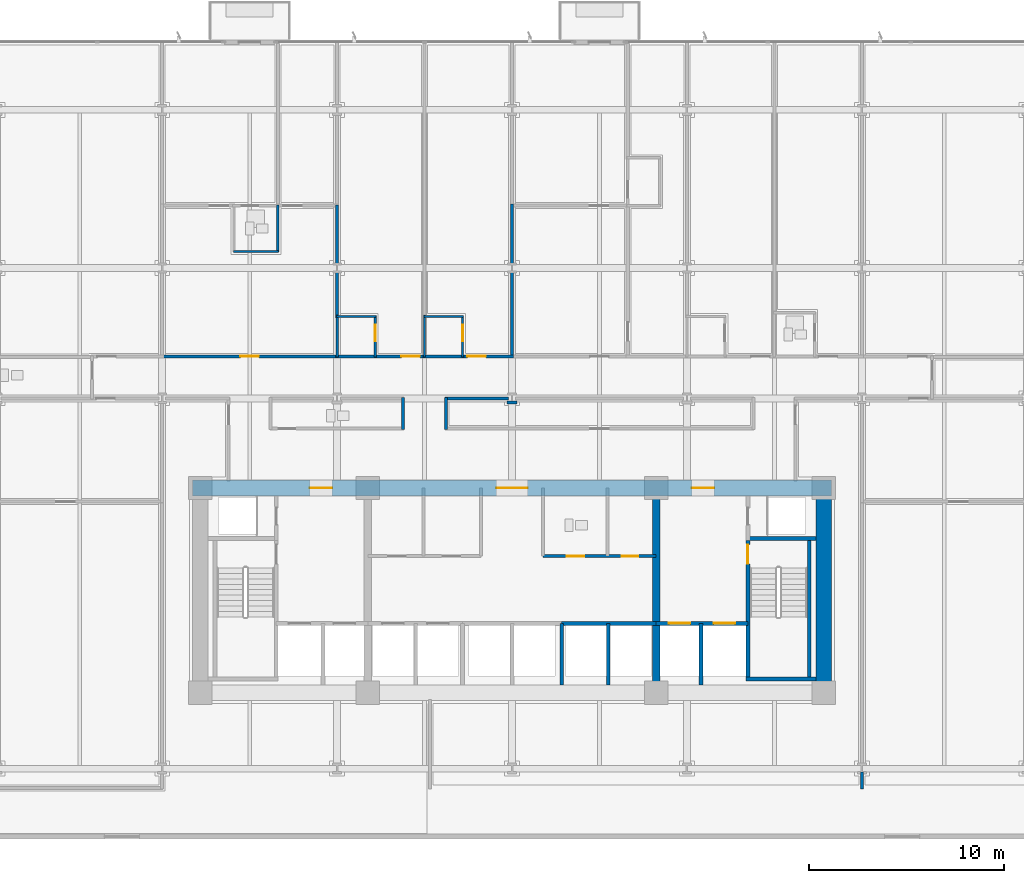
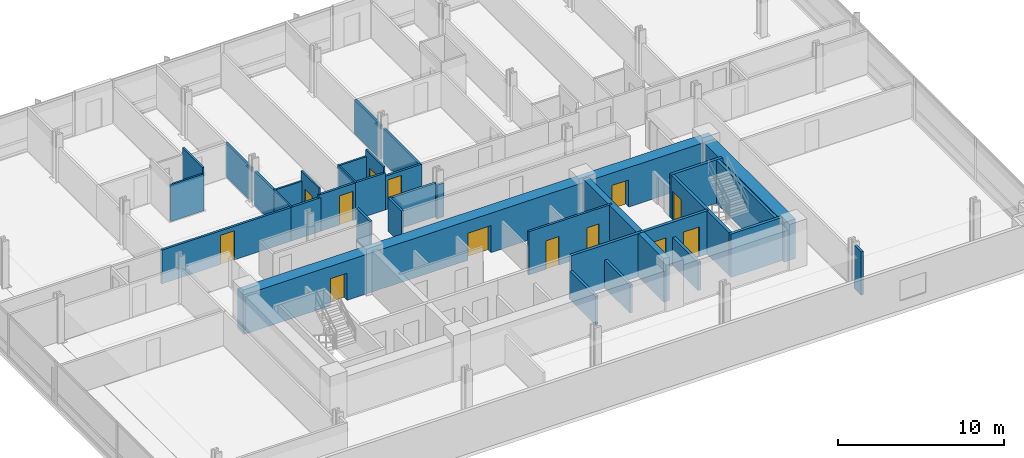
# One storey, part 9 of 16: 35 walls, 13 doors, 13 openings.
"""IFC4 building model written with IfcOpenShell, lengths in metres."""

import ifcopenshell
import ifcopenshell.guid

model = None  # the IFC model being written
_history = None  # IfcOwnerHistory: only IFC2X3 demands one
_inside = {}  # id of a spatial element -> (the spatial element, [elements in it])
_under = {}  # id of a project, library or spatial element -> (it, [spatial elements below it])
_declared = {}  # id of a project -> (the project, [libraries it declares])
_typed = {}  # id of a type object -> (the type object, [elements of that type])
_made_of = {}  # id of a material, layer set ... -> (it, [elements and type objects made of it])


def new_model(schema):
    """Start an empty IFC model of exactly this schema.

    Asked for "IFC4X3", IfcOpenShell would pick the latest addendum, in which some entities
    have other attributes; the version numbers below select the first issue.
    IFC2X3 requires an IfcOwnerHistory on every rooted entity: one is made here for all.
    """
    global model, _history
    if schema == "IFC4X3":
        model = ifcopenshell.file(schema_version=(4, 3, 0, 0))
    else:
        model = ifcopenshell.file(schema=schema)
    _inside.clear()
    _under.clear()
    _declared.clear()
    _typed.clear()
    _made_of.clear()
    _history = None
    if model.schema == "IFC2X3":
        org = make("IfcOrganization", Name="unknown")
        user = make(
            "IfcPersonAndOrganization",
            ThePerson=make("IfcPerson", FamilyName="unknown"),
            TheOrganization=org,
        )
        app = make(
            "IfcApplication",
            ApplicationDeveloper=org,
            Version="unknown",
            ApplicationFullName="unknown",
            ApplicationIdentifier="unknown",
        )
        _history = make(
            "IfcOwnerHistory",
            OwningUser=user,
            OwningApplication=app,
            ChangeAction="ADDED",
            CreationDate=0,
        )
    return model


def make(cls, **values):
    """One entity of the class cls with the attributes given. An attribute that is None is left unset."""
    return model.create_entity(
        cls, **{name: value for name, value in values.items() if value is not None}
    )


def rooted(cls, **values):
    """An entity with a GlobalId (a new one), such as an element, a storey or a relation."""
    return make(cls, GlobalId=ifcopenshell.guid.new(), OwnerHistory=_history, **values)


def si_unit(unit_type, name, prefix=None):
    """IfcSIUnit, for example si_unit("LENGTHUNIT", "METRE", prefix="MILLI")."""
    return make("IfcSIUnit", UnitType=unit_type, Prefix=prefix, Name=name)


def assignment(units):
    """IfcUnitAssignment: the units of a project."""
    return None if units is None else make("IfcUnitAssignment", Units=units)


def point(xyz):
    """IfcCartesianPoint."""
    return None if xyz is None else make("IfcCartesianPoint", Coordinates=xyz)


def direction(xyz):
    """IfcDirection."""
    return None if xyz is None else make("IfcDirection", DirectionRatios=xyz)


def frame(location, z_axis=None, x_axis=None):
    """IfcAxis2Placement3D, a coordinate frame: its origin and axes. An axis left out is left unset."""
    return make(
        "IfcAxis2Placement3D",
        Location=point(location),
        Axis=direction(z_axis),
        RefDirection=direction(x_axis),
    )


def frame_2d(location, x_axis=None):
    """IfcAxis2Placement2D, a coordinate frame in the plane: its origin and x axis."""
    return make(
        "IfcAxis2Placement2D", Location=point(location), RefDirection=direction(x_axis)
    )


def origin():
    """The frame at (0, 0, 0) with its axes left unset."""
    return frame((0.0, 0.0, 0.0))


def place(relative_to, where):
    """IfcLocalPlacement: puts the frame where relative to a parent placement (None: the world)."""
    return make(
        "IfcLocalPlacement", PlacementRelTo=relative_to, RelativePlacement=where
    )


def context(
    kind, dimensions, precision=None, world=None, true_north=None, identifier=None
):
    """IfcGeometricRepresentationContext, for example the 3D "Model" context."""
    return make(
        "IfcGeometricRepresentationContext",
        ContextIdentifier=identifier,
        ContextType=kind,
        CoordinateSpaceDimension=dimensions,
        Precision=precision,
        WorldCoordinateSystem=world,
        TrueNorth=true_north,
    )


def subcontext(parent, identifier, kind, view, scale=None):
    """IfcGeometricRepresentationSubContext, for example "Body" below "Model"."""
    return make(
        "IfcGeometricRepresentationSubContext",
        ContextIdentifier=identifier,
        ContextType=kind,
        ParentContext=parent,
        TargetScale=scale,
        TargetView=view,
    )


def project(units=None, contexts=None):
    """IfcProject with its units and contexts."""
    return rooted(
        "IfcProject",
        Name="project",
        RepresentationContexts=contexts,
        UnitsInContext=assignment(units),
    )


def spatial(cls, under=None, at=None, **own):
    """A site, building, storey or space (cls), placed at a placement, below another one or the project."""
    s = rooted(cls, ObjectPlacement=at, **own)
    if under is not None:
        _under.setdefault(under.id(), (under, []))[1].append(s)
    return s


def profile(cls, at=None, kind="AREA", **sizes):
    """A parametric profile (cls). Its sizes go by their IFC names, for example OverallWidth=200.0."""
    return make(cls, ProfileType=kind, Position=at, **sizes)


def rectangle(**sizes):
    """IfcRectangleProfileDef."""
    return profile("IfcRectangleProfileDef", **sizes)


def extrude(swept, where, along, depth):
    """IfcExtrudedAreaSolid: the profile swept, set in the frame where, extruded along a direction by depth."""
    return make(
        "IfcExtrudedAreaSolid",
        SweptArea=swept,
        Position=where,
        ExtrudedDirection=direction(along),
        Depth=depth,
    )


def shape(context_of_items, identifier, shape_type, items):
    """IfcShapeRepresentation: the items that make up one representation, for example the "Body"."""
    return make(
        "IfcShapeRepresentation",
        ContextOfItems=context_of_items,
        RepresentationIdentifier=identifier,
        RepresentationType=shape_type,
        Items=items,
    )


def material(Name=None, Category=None):
    """IfcMaterial."""
    return make("IfcMaterial", Name=Name, Category=Category)


def layer(
    of_material, thickness, ventilated=None, Name=None, Category=None, Priority=None
):
    """IfcMaterialLayer: one layer of a wall or slab, of a material (None: an air gap)."""
    return make(
        "IfcMaterialLayer",
        Material=of_material,
        LayerThickness=thickness,
        IsVentilated=ventilated,
        Name=Name,
        Category=Category,
        Priority=Priority,
    )


def layer_set(layers, Name=None):
    """IfcMaterialLayerSet."""
    return make("IfcMaterialLayerSet", MaterialLayers=layers, LayerSetName=Name)


def made_of(thing, what):
    """Note that an element or type object is made of a material, layer set ...; save() writes the relation."""
    if what is not None:
        _made_of.setdefault(what.id(), (what, []))[1].append(thing)
    return thing


def type_object(cls, material=None, **own):
    """A type object (cls), such as IfcWallType, which elements share."""
    return made_of(rooted(cls, **own), material)


def element(
    cls,
    number,
    at=None,
    inside=None,
    cuts=None,
    type_object=None,
    material=None,
    context=None,
    identifier="Body",
    shape_type=None,
    held_by="IfcProductDefinitionShape",
    body=None,
    shapes=None,
    **own,
):
    """One element of the class cls, such as IfcWall. Its Tag is "e" and its number.

    at: its placement. inside: the storey or other place that contains it. cuts: it is an
    opening in that element (IfcRelVoidsElement). A single representation is given by context,
    identifier, shape_type and body (its items); several are given by shapes. held_by: the class
    of the entity that holds the representations. save() writes the other relations.
    """
    e = rooted(cls, Tag="e%d" % number, ObjectPlacement=at, **own)
    if body is not None:
        shapes = [shape(context, identifier, shape_type, body)]
    if shapes is not None:
        e.Representation = make(held_by, Representations=shapes)
    if inside is not None:
        _inside.setdefault(inside.id(), (inside, []))[1].append(e)
    if cuts is not None:
        rooted(
            "IfcRelVoidsElement", RelatingBuildingElement=cuts, RelatedOpeningElement=e
        )
    if type_object is not None:
        _typed.setdefault(type_object.id(), (type_object, []))[1].append(e)
    return made_of(e, material)


def fill(opening, filler):
    """IfcRelFillsElement: the door or window that sits in an opening."""
    return rooted(
        "IfcRelFillsElement",
        RelatingOpeningElement=opening,
        RelatedBuildingElement=filler,
    )


def aggregate(whole, parts):
    """IfcRelAggregates: a whole, such as a stair, and the parts it consists of."""
    return rooted("IfcRelAggregates", RelatingObject=whole, RelatedObjects=parts)


def save(model, path):
    """Write the relations noted so far, then the file.

    IfcRelAggregates (storeys below a building ...), IfcRelContainedInSpatialStructure (elements
    in a storey), IfcRelDefinesByType, IfcRelAssociatesMaterial and IfcRelDeclares: one each for
    every whole, place, type object, material and project.
    """
    for whole, parts in _under.values():
        aggregate(whole, parts)
    for where, things in _inside.values():
        rooted(
            "IfcRelContainedInSpatialStructure",
            RelatedElements=things,
            RelatingStructure=where,
        )
    for kind, things in _typed.values():
        rooted("IfcRelDefinesByType", RelatedObjects=things, RelatingType=kind)
    for what, things in _made_of.values():
        rooted("IfcRelAssociatesMaterial", RelatedObjects=things, RelatingMaterial=what)
    for by, libraries in _declared.values():
        rooted("IfcRelDeclares", RelatingContext=by, RelatedDefinitions=libraries)
    model.write(path)


model = new_model("IFC4")

# Units and contexts
model_context = context("Model", 3, precision=1e-05, world=origin(), true_north=direction((0.0, 1.0)))
body_context = subcontext(model_context, "Body", "Model", "MODEL_VIEW")
ifc_project = project(units=[si_unit("LENGTHUNIT", "METRE"), si_unit("AREAUNIT", "SQUARE_METRE"), si_unit("VOLUMEUNIT", "CUBIC_METRE"), si_unit("PLANEANGLEUNIT", "RADIAN"), si_unit("MASSUNIT", "GRAM", prefix="KILO")], contexts=[model_context])

# Site, building, storey
site_placement = place(None, origin())
site = spatial("IfcSite", under=ifc_project, at=site_placement, CompositionType="ELEMENT")
building_placement = place(site_placement, origin())
building = spatial("IfcBuilding", under=site, at=building_placement, Name="Solmavex Isthmus Hotel", CompositionType="ELEMENT")
storey_placement = place(building_placement, frame((0.0, 0.0, 67.800048828125)))
storey = spatial("IfcBuildingStorey", under=building, at=storey_placement, Name="L18", CompositionType="ELEMENT", Elevation=67.800048828125)

# Walls
ifc_material_1 = material(Name="Gypsum plasterboard lining", Category="gypsum")
ifc_layer_1 = layer(ifc_material_1, 0.159912109375)
ifc_layer_set_1 = layer_set([ifc_layer_1], Name="Gypsum plasterboard lining")
wall_type_1 = type_object("IfcWallType", Name="IW-COMP-160", PredefinedType="PARTITIONING", material=ifc_layer_set_1)
wall_1_placement = place(storey_placement, frame((-8.97607421875, 8.613037109375, 0.0), z_axis=(0.0, 0.0, 1.0), x_axis=(0.0, -1.0, 0.0)))
element("IfcWall", 1, at=wall_1_placement, inside=storey, type_object=wall_type_1, Name="Interior Partition Wall W-L18-P046", PredefinedType="PARTITIONING", context=body_context, shape_type="SweptSolid", body=[
    extrude(rectangle(XDim=2.39501953125, YDim=0.159912109375, at=frame_2d((1.197509765625, 0.0))), origin(), (0.0, 0.0, 1.0), 2.4794921875),
])
wall_2_placement = place(storey_placement, frame((-8.97607421875, 12.028076171875, 0.0), z_axis=(0.0, 0.0, 1.0), x_axis=(0.0, -1.0, 0.0)))
element("IfcWall", 2, at=wall_2_placement, inside=storey, type_object=wall_type_1, Name="Interior Partition Wall W-L18-P047", PredefinedType="PARTITIONING", context=body_context, shape_type="SweptSolid", body=[
    extrude(rectangle(XDim=3.065185546875, YDim=0.159912109375, at=frame_2d((1.53271484375, 0.0))), origin(), (0.0, 0.0, 1.0), 2.4794921875),
])
wall_3_placement = place(storey_placement, frame((0.0, 8.613037109375, 0.0), z_axis=(0.0, 0.0, 1.0), x_axis=(0.0, -1.0, 0.0)))
element("IfcWall", 3, at=wall_3_placement, inside=storey, type_object=wall_type_1, Name="Interior Partition Wall W-L18-P059", PredefinedType="PARTITIONING", context=body_context, shape_type="SweptSolid", body=[
    extrude(rectangle(XDim=4.403076171875, YDim=0.159912109375, at=frame_2d((2.20166015625, 0.0))), origin(), (0.0, 0.0, 1.0), 2.4794921875),
])
wall_4_placement = place(storey_placement, frame((0.0, 12.070068359375, 0.0), z_axis=(0.0, 0.0, 1.0), x_axis=(0.0, -1.0, 0.0)))
element("IfcWall", 4, at=wall_4_placement, inside=storey, type_object=wall_type_1, Name="Interior Partition Wall W-L18-P060", PredefinedType="PARTITIONING", context=body_context, shape_type="SweptSolid", body=[
    extrude(rectangle(XDim=3.107177734375, YDim=0.159912109375, at=frame_2d((1.5537109375, 0.0))), origin(), (0.0, 0.0, 1.0), 2.4794921875),
])
wall_5_placement = place(storey_placement, frame((17.951904296875, -17.074951171875, 0.0), z_axis=(0.0, 0.0, 1.0), x_axis=(0.0, -1.0, 0.0)))
element("IfcWall", 5, at=wall_5_placement, inside=storey, type_object=wall_type_1, Name="Interior Partition Wall W-L18-P093", PredefinedType="PARTITIONING", context=body_context, shape_type="SweptSolid", body=[
    extrude(rectangle(XDim=0.864990234375, YDim=0.159912109375, at=frame_2d((0.4326171875, 0.0))), origin(), (0.0, 0.0, 1.0), 3.18994140625),
])

# Wall, openings, doors
ifc_layer_2 = layer(ifc_material_1, 0.14990234375)
ifc_layer_set_2 = layer_set([ifc_layer_2], Name="Gypsum plasterboard lining")
wall_type_2 = type_object("IfcWallType", Name="IW-CORR-150", PredefinedType="PARTITIONING", material=ifc_layer_set_2)
wall_6_placement = place(storey_placement, frame((1.60009765625, -6.0, 0.0), z_axis=(0.0, 0.0, 1.0), x_axis=(1.0, 0.0, 0.0)))
wall_6 = element("IfcWall", 6, at=wall_6_placement, inside=storey, type_object=wall_type_2, Name="Interior Partition Wall W-L18-BOH-ES", PredefinedType="PARTITIONING", context=body_context, shape_type="SweptSolid", body=[
    extrude(rectangle(XDim=5.7998046875, YDim=0.14990234375, at=frame_2d((2.89990234375, 0.0))), origin(), (0.0, 0.0, 1.0), 3.18994140625),
])
opening_1_placement = place(wall_6_placement, frame((1.199951171875, 0.0, 0.0)))
opening_1 = element("IfcOpeningElement", 7, at=opening_1_placement, cuts=wall_6, Name="Opening ID-C090", PredefinedType="OPENING", context=body_context, shape_type="SweptSolid", body=[
    extrude(rectangle(XDim=0.89990234375, YDim=2.10009765625, at=frame_2d((0.449951171875, 1.050048828125))), frame((0.0, 0.0849609375, 0.0), z_axis=(0.0, -1.0, 0.0), x_axis=(1.0, 0.0, 0.0)), (0.0, 0.0, 1.0), 0.169921875),
])
opening_2_placement = place(wall_6_placement, frame((4.02490234375, 0.0, 0.0)))
opening_2 = element("IfcOpeningElement", 8, at=opening_2_placement, cuts=wall_6, Name="Opening ID-R085", PredefinedType="OPENING", context=body_context, shape_type="SweptSolid", body=[
    extrude(rectangle(XDim=0.85009765625, YDim=2.050048828125, at=frame_2d((0.425048828125, 1.02490234375))), frame((0.0, 0.0849609375, 0.0), z_axis=(0.0, -1.0, 0.0), x_axis=(1.0, 0.0, 0.0)), (0.0, 0.0, 1.0), 0.169921875),
])
ifc_material_2 = material(Name="Steel ASTM A500 Grade C", Category="steel")
door_type_1 = type_object("IfcDoorType", Name="IDR-FD60-0850", OperationType="NOTDEFINED", PredefinedType="DOOR", material=ifc_material_2)
door_1_placement = place(opening_2_placement, frame((0.85009765625, 0.0, 0.0), z_axis=(0.0, 0.0, 1.0), x_axis=(-1.0, 0.0, 0.0)))
door_1 = element("IfcDoor", 9, at=door_1_placement, inside=storey, type_object=door_type_1, Name="IT Room Door L18", OperationType="SINGLE_SWING_RIGHT", OverallHeight=2.050048828125, OverallWidth=0.85009765625, PredefinedType="DOOR", context=body_context, shape_type="SweptSolid", body=[
    extrude(rectangle(XDim=0.85009765625, YDim=2.050048828125, at=frame_2d((0.425048828125, 1.02490234375))), frame((0.0, 0.02490234375, 0.0), z_axis=(0.0, -1.0, 0.0), x_axis=(1.0, 0.0, 0.0)), (0.0, 0.0, 1.0), 0.050048828125),
])
fill(opening_2, door_1)
ifc_material_3 = material(Name="Hardwood timber", Category="wood")
door_type_2 = type_object("IfcDoorType", Name="IDR-FD60-0900", OperationType="NOTDEFINED", PredefinedType="DOOR", material=ifc_material_3)
door_2_placement = place(opening_1_placement, frame((0.89990234375, 0.0, 0.0), z_axis=(0.0, 0.0, 1.0), x_axis=(-1.0, 0.0, 0.0)))
door_2 = element("IfcDoor", 10, at=door_2_placement, inside=storey, type_object=door_type_2, Name="Staff Restroom Door L18", OperationType="SINGLE_SWING_LEFT", OverallHeight=2.10009765625, OverallWidth=0.89990234375, PredefinedType="DOOR", context=body_context, shape_type="SweptSolid", body=[
    extrude(rectangle(XDim=0.89990234375, YDim=2.10009765625, at=frame_2d((0.449951171875, 1.050048828125))), frame((0.0, 0.02490234375, 0.0), z_axis=(0.0, -1.0, 0.0), x_axis=(1.0, 0.0, 0.0)), (0.0, 0.0, 1.0), 0.050048828125),
])
fill(opening_1, door_2)

# Wall, opening, door
wall_7_placement = place(storey_placement, frame((-18.033935546875, 4.25, 0.0), z_axis=(0.0, 0.0, 1.0), x_axis=(1.0, 0.0, 0.0)))
wall_7 = element("IfcWall", 11, at=wall_7_placement, inside=storey, type_object=wall_type_2, Name="Interior Partition Wall W-L18-P002", PredefinedType="PARTITIONING", context=body_context, shape_type="SweptSolid", body=[
    extrude(rectangle(XDim=9.139892578125, YDim=0.14990234375, at=frame_2d((4.56982421875, 0.0))), origin(), (0.0, 0.0, 1.0), 2.4794921875),
])
opening_3_placement = place(wall_7_placement, frame((4.094970703125, 0.0, 0.0)))
opening_3 = element("IfcOpeningElement", 12, at=opening_3_placement, cuts=wall_7, Name="Opening ID-C095", PredefinedType="OPENING", context=body_context, shape_type="SweptSolid", body=[
    extrude(rectangle(XDim=0.949951171875, YDim=2.14990234375, at=frame_2d((0.47509765625, 1.074951171875))), frame((0.0, 0.0849609375, 0.0), z_axis=(0.0, -1.0, 0.0), x_axis=(1.0, 0.0, 0.0)), (0.0, 0.0, 1.0), 0.169921875),
])
door_type_3 = type_object("IfcDoorType", Name="IDR-FD60-0950", OperationType="NOTDEFINED", PredefinedType="DOOR", material=ifc_material_3)
door_3_placement = place(opening_3_placement, origin())
door_3 = element("IfcDoor", 13, at=door_3_placement, inside=storey, type_object=door_type_3, Name="Ambassador Suite Reception Foyer Door L18-02", OperationType="SINGLE_SWING_RIGHT", OverallHeight=2.14990234375, OverallWidth=0.949951171875, PredefinedType="DOOR", context=body_context, shape_type="SweptSolid", body=[
    extrude(rectangle(XDim=0.949951171875, YDim=2.14990234375, at=frame_2d((0.47509765625, 1.074951171875))), frame((0.0, 0.02490234375, 0.0), z_axis=(0.0, -1.0, 0.0), x_axis=(1.0, 0.0, 0.0)), (0.0, 0.0, 1.0), 0.050048828125),
])
fill(opening_3, door_3)

wall_8_placement = place(storey_placement, frame((-7.10791015625, 4.25, 0.0), z_axis=(0.0, 0.0, 1.0), x_axis=(1.0, 0.0, 0.0)))
wall_8 = element("IfcWall", 14, at=wall_8_placement, inside=storey, type_object=wall_type_2, Name="Interior Partition Wall W-L18-P003", PredefinedType="PARTITIONING", context=body_context, shape_type="SweptSolid", body=[
    extrude(rectangle(XDim=2.701904296875, YDim=0.14990234375, at=frame_2d((1.35107421875, 0.0))), origin(), (0.0, 0.0, 1.0), 2.718017578125),
])
opening_4_placement = place(wall_8_placement, frame((1.426513671875, 0.0, 0.0)))
opening_4 = element("IfcOpeningElement", 15, at=opening_4_placement, cuts=wall_8, Name="Opening ID-C095", PredefinedType="OPENING", context=body_context, shape_type="SweptSolid", body=[
    extrude(rectangle(XDim=0.949951171875, YDim=2.14990234375, at=frame_2d((0.47509765625, 1.074951171875))), frame((0.0, 0.0849609375, 0.0), z_axis=(0.0, -1.0, 0.0), x_axis=(1.0, 0.0, 0.0)), (0.0, 0.0, 1.0), 0.169921875),
])
door_4_placement = place(opening_4_placement, origin())
door_4 = element("IfcDoor", 16, at=door_4_placement, inside=storey, type_object=door_type_3, Name="Deluxe Guest Room Door L18-06", OperationType="SINGLE_SWING_RIGHT", OverallHeight=2.14990234375, OverallWidth=0.949951171875, PredefinedType="DOOR", context=body_context, shape_type="SweptSolid", body=[
    extrude(rectangle(XDim=0.949951171875, YDim=2.14990234375, at=frame_2d((0.47509765625, 1.074951171875))), frame((0.0, 0.02490234375, 0.0), z_axis=(0.0, -1.0, 0.0), x_axis=(1.0, 0.0, 0.0)), (0.0, 0.0, 1.0), 0.050048828125),
])
fill(opening_4, door_4)

# Wall
wall_9_placement = place(storey_placement, frame((-9.05810546875, 4.25, 0.0), z_axis=(0.0, 0.0, 1.0), x_axis=(1.0, 0.0, 0.0)))
element("IfcWall", 17, at=wall_9_placement, inside=storey, type_object=wall_type_2, Name="Interior Partition Wall W-L18-P004", PredefinedType="PARTITIONING", context=body_context, shape_type="SweptSolid", body=[
    extrude(rectangle(XDim=2.114013671875, YDim=0.14990234375, at=frame_2d((1.05712890625, 0.0))), origin(), (0.0, 0.0, 1.0), 2.4794921875),
])

# Wall, opening, door
wall_10_placement = place(storey_placement, frame((-2.6201171875, 4.25, 0.0), z_axis=(0.0, 0.0, 1.0), x_axis=(1.0, 0.0, 0.0)))
wall_10 = element("IfcWall", 18, at=wall_10_placement, inside=storey, type_object=wall_type_2, Name="Interior Partition Wall W-L18-P005", PredefinedType="PARTITIONING", context=body_context, shape_type="SweptSolid", body=[
    extrude(rectangle(XDim=2.7021484375, YDim=0.14990234375, at=frame_2d((1.35107421875, 0.0))), origin(), (0.0, 0.0, 1.0), 2.4794921875),
])
opening_5_placement = place(wall_10_placement, frame((0.325439453125, 0.0, 0.0)))
opening_5 = element("IfcOpeningElement", 19, at=opening_5_placement, cuts=wall_10, Name="Opening ID-C095", PredefinedType="OPENING", context=body_context, shape_type="SweptSolid", body=[
    extrude(rectangle(XDim=0.949951171875, YDim=2.14990234375, at=frame_2d((0.47509765625, 1.074951171875))), frame((0.0, 0.0849609375, 0.0), z_axis=(0.0, -1.0, 0.0), x_axis=(1.0, 0.0, 0.0)), (0.0, 0.0, 1.0), 0.169921875),
])
door_5_placement = place(opening_5_placement, origin())
door_5 = element("IfcDoor", 20, at=door_5_placement, inside=storey, type_object=door_type_3, Name="Twin Guest Room Door L18-08", OperationType="SINGLE_SWING_RIGHT", OverallHeight=2.14990234375, OverallWidth=0.949951171875, PredefinedType="DOOR", context=body_context, shape_type="SweptSolid", body=[
    extrude(rectangle(XDim=0.949951171875, YDim=2.14990234375, at=frame_2d((0.47509765625, 1.074951171875))), frame((0.0, 0.02490234375, 0.0), z_axis=(0.0, -1.0, 0.0), x_axis=(1.0, 0.0, 0.0)), (0.0, 0.0, 1.0), 0.050048828125),
])
fill(opening_5, door_5)

# Walls
wall_11_placement = place(storey_placement, frame((-4.570068359375, 4.25, 0.0), z_axis=(0.0, 0.0, 1.0), x_axis=(1.0, 0.0, 0.0)))
element("IfcWall", 21, at=wall_11_placement, inside=storey, type_object=wall_type_2, Name="Interior Partition Wall W-L18-P006", PredefinedType="PARTITIONING", context=body_context, shape_type="SweptSolid", body=[
    extrude(rectangle(XDim=2.114013671875, YDim=0.14990234375, at=frame_2d((1.05712890625, 0.0))), origin(), (0.0, 0.0, 1.0), 2.718017578125),
])
wall_12_placement = place(storey_placement, frame((-5.587890625, 0.510009765625, 0.0), z_axis=(0.0, 0.0, 1.0), x_axis=(0.0, 1.0, 0.0)))
element("IfcWall", 22, at=wall_12_placement, inside=storey, type_object=wall_type_2, Name="Interior Partition Wall W-L18-P018", PredefinedType="PARTITIONING", context=body_context, shape_type="SweptSolid", body=[
    extrude(rectangle(XDim=1.6298828125, YDim=0.14990234375, at=frame_2d((0.81494140625, 0.0))), origin(), (0.0, 0.0, 1.0), 2.4794921875),
])
wall_13_placement = place(storey_placement, frame((0.2548828125, 1.885009765625, 0.0), z_axis=(0.0, 0.0, 1.0), x_axis=(-1.0, 0.0, 0.0)))
element("IfcWall", 23, at=wall_13_placement, inside=storey, type_object=wall_type_2, Name="Interior Partition Wall W-L18-P023", PredefinedType="PARTITIONING", context=body_context, shape_type="SweptSolid", body=[
    extrude(rectangle(XDim=0.509765625, YDim=0.14990234375, at=frame_2d((0.2548828125, 0.0))), origin(), (0.0, 0.0, 1.0), 2.4794921875),
])
wall_14_placement = place(storey_placement, frame((-0.175048828125, 2.10009765625, 0.0), z_axis=(0.0, 0.0, 1.0), x_axis=(-1.0, 0.0, 0.0)))
element("IfcWall", 24, at=wall_14_placement, inside=storey, type_object=wall_type_2, Name="Interior Partition Wall W-L18-P024", PredefinedType="PARTITIONING", context=body_context, shape_type="SweptSolid", body=[
    extrude(rectangle(XDim=3.2529296875, YDim=0.14990234375, at=frame_2d((1.62646484375, 0.0))), origin(), (0.0, 0.0, 1.0), 2.4794921875),
])
wall_15_placement = place(storey_placement, frame((-3.387939453125, 2.139892578125, 0.0), z_axis=(0.0, 0.0, 1.0), x_axis=(0.0, -1.0, 0.0)))
element("IfcWall", 25, at=wall_15_placement, inside=storey, type_object=wall_type_2, Name="Interior Partition Wall W-L18-P025", PredefinedType="PARTITIONING", context=body_context, shape_type="SweptSolid", body=[
    extrude(rectangle(XDim=1.6298828125, YDim=0.14990234375, at=frame_2d((0.81494140625, 0.0))), origin(), (0.0, 0.0, 1.0), 2.4794921875),
])
ifc_layer_3 = layer(ifc_material_1, 0.1201171875)
ifc_layer_set_3 = layer_set([ifc_layer_3], Name="Gypsum plasterboard lining")
wall_type_3 = type_object("IfcWallType", Name="IW-PART-120", PredefinedType="PARTITIONING", material=ifc_layer_set_3)
wall_16_placement = place(storey_placement, frame((-14.303955078125, 9.637939453125, 0.0), z_axis=(0.0, 0.0, 1.0), x_axis=(1.0, 0.0, 0.0)))
element("IfcWall", 26, at=wall_16_placement, inside=storey, type_object=wall_type_3, Name="Interior Partition Wall W-L18-P044", PredefinedType="PARTITIONING", context=body_context, shape_type="SweptSolid", body=[
    extrude(rectangle(XDim=2.329833984375, YDim=0.1201171875, at=frame_2d((1.1650390625, 0.0))), origin(), (0.0, 0.0, 1.0), 2.718017578125),
])
wall_17_placement = place(storey_placement, frame((-12.013916015625, 9.597900390625, 0.0), z_axis=(0.0, 0.0, 1.0), x_axis=(0.0, 1.0, 0.0)))
element("IfcWall", 27, at=wall_17_placement, inside=storey, type_object=wall_type_3, Name="Interior Partition Wall W-L18-P045", PredefinedType="PARTITIONING", context=body_context, shape_type="SweptSolid", body=[
    extrude(rectangle(XDim=2.43017578125, YDim=0.1201171875, at=frame_2d((1.215087890625, 0.0))), origin(), (0.0, 0.0, 1.0), 3.18994140625),
])
wall_18_placement = place(storey_placement, frame((-8.97607421875, 6.382080078125, 0.0), z_axis=(0.0, 0.0, 1.0), x_axis=(0.0, -1.0, 0.0)))
element("IfcWall", 28, at=wall_18_placement, inside=storey, type_object=wall_type_3, Name="Interior Partition Wall W-L18-P048", PredefinedType="PARTITIONING", context=body_context, shape_type="SweptSolid", body=[
    extrude(rectangle(XDim=2.172119140625, YDim=0.1201171875, at=frame_2d((1.0859375, 0.0))), origin(), (0.0, 0.0, 1.0), 2.4794921875),
])

# Wall, opening, door
wall_19_placement = place(storey_placement, frame((-7.02587890625, 4.2099609375, 0.0), z_axis=(0.0, 0.0, 1.0), x_axis=(0.0, 1.0, 0.0)))
wall_19 = element("IfcWall", 29, at=wall_19_placement, inside=storey, type_object=wall_type_3, Name="Interior Partition Wall W-L18-P053", PredefinedType="PARTITIONING", context=body_context, shape_type="SweptSolid", body=[
    extrude(rectangle(XDim=2.130126953125, YDim=0.1201171875, at=frame_2d((1.06494140625, 0.0))), origin(), (0.0, 0.0, 1.0), 3.18994140625),
])
opening_6_placement = place(wall_19_placement, frame((0.812255859375, 0.0, 0.0)))
opening_6 = element("IfcOpeningElement", 30, at=opening_6_placement, cuts=wall_19, Name="Opening ID-U085", PredefinedType="OPENING", context=body_context, shape_type="SweptSolid", body=[
    extrude(rectangle(XDim=0.85009765625, YDim=2.10009765625, at=frame_2d((0.425048828125, 1.050048828125))), frame((0.0, 0.070068359375, 0.0), z_axis=(0.0, -1.0, 0.0), x_axis=(1.0, 0.0, 0.0)), (0.0, 0.0, 1.0), 0.14013671875),
])
door_type_4 = type_object("IfcDoorType", Name="IDR-UNR-0850", OperationType="NOTDEFINED", PredefinedType="DOOR", material=ifc_material_3)
door_6_placement = place(opening_6_placement, frame((0.85009765625, 0.0, 0.0), z_axis=(0.0, 0.0, 1.0), x_axis=(-1.0, 0.0, 0.0)))
door_6 = element("IfcDoor", 31, at=door_6_placement, inside=storey, type_object=door_type_4, Name="En-suite Bathroom Door L18-07", OperationType="SINGLE_SWING_LEFT", OverallHeight=2.10009765625, OverallWidth=0.85009765625, PredefinedType="DOOR", context=body_context, shape_type="SweptSolid", body=[
    extrude(rectangle(XDim=0.85009765625, YDim=2.10009765625, at=frame_2d((0.425048828125, 1.050048828125))), frame((0.0, 0.02490234375, 0.0), z_axis=(0.0, -1.0, 0.0), x_axis=(1.0, 0.0, 0.0)), (0.0, 0.0, 1.0), 0.050048828125),
])
fill(opening_6, door_6)

# Walls
wall_20_placement = place(storey_placement, frame((-6.986083984375, 6.300048828125, 0.0), z_axis=(0.0, 0.0, 1.0), x_axis=(-1.0, 0.0, 0.0)))
element("IfcWall", 32, at=wall_20_placement, inside=storey, type_object=wall_type_3, Name="Interior Partition Wall W-L18-P054", PredefinedType="PARTITIONING", context=body_context, shape_type="SweptSolid", body=[
    extrude(rectangle(XDim=2.030029296875, YDim=0.1201171875, at=frame_2d((1.01513671875, 0.0))), origin(), (0.0, 0.0, 1.0), 2.4794921875),
])
wall_21_placement = place(storey_placement, frame((-4.488037109375, 6.382080078125, 0.0), z_axis=(0.0, 0.0, 1.0), x_axis=(0.0, -1.0, 0.0)))
element("IfcWall", 33, at=wall_21_placement, inside=storey, type_object=wall_type_3, Name="Interior Partition Wall W-L18-P056", PredefinedType="PARTITIONING", context=body_context, shape_type="SweptSolid", body=[
    extrude(rectangle(XDim=2.172119140625, YDim=0.1201171875, at=frame_2d((1.0859375, 0.0))), origin(), (0.0, 0.0, 1.0), 2.718017578125),
])

# Wall, opening, door
wall_22_placement = place(storey_placement, frame((-2.5380859375, 4.2099609375, 0.0), z_axis=(0.0, 0.0, 1.0), x_axis=(0.0, 1.0, 0.0)))
wall_22 = element("IfcWall", 34, at=wall_22_placement, inside=storey, type_object=wall_type_3, Name="Interior Partition Wall W-L18-P057", PredefinedType="PARTITIONING", context=body_context, shape_type="SweptSolid", body=[
    extrude(rectangle(XDim=2.130126953125, YDim=0.1201171875, at=frame_2d((1.06494140625, 0.0))), origin(), (0.0, 0.0, 1.0), 3.18994140625),
])
opening_7_placement = place(wall_22_placement, frame((0.812255859375, 0.0, 0.0)))
opening_7 = element("IfcOpeningElement", 35, at=opening_7_placement, cuts=wall_22, Name="Opening ID-U085", PredefinedType="OPENING", context=body_context, shape_type="SweptSolid", body=[
    extrude(rectangle(XDim=0.85009765625, YDim=2.10009765625, at=frame_2d((0.425048828125, 1.050048828125))), frame((0.0, 0.070068359375, 0.0), z_axis=(0.0, -1.0, 0.0), x_axis=(1.0, 0.0, 0.0)), (0.0, 0.0, 1.0), 0.14013671875),
])
door_7_placement = place(opening_7_placement, origin())
door_7 = element("IfcDoor", 36, at=door_7_placement, inside=storey, type_object=door_type_4, Name="En-suite Bathroom Door L18-09", OperationType="SINGLE_SWING_LEFT", OverallHeight=2.10009765625, OverallWidth=0.85009765625, PredefinedType="DOOR", context=body_context, shape_type="SweptSolid", body=[
    extrude(rectangle(XDim=0.85009765625, YDim=2.10009765625, at=frame_2d((0.425048828125, 1.050048828125))), frame((0.0, 0.02490234375, 0.0), z_axis=(0.0, -1.0, 0.0), x_axis=(1.0, 0.0, 0.0)), (0.0, 0.0, 1.0), 0.050048828125),
])
fill(opening_7, door_7)

# Walls
wall_23_placement = place(storey_placement, frame((-2.498046875, 6.300048828125, 0.0), z_axis=(0.0, 0.0, 1.0), x_axis=(-1.0, 0.0, 0.0)))
element("IfcWall", 37, at=wall_23_placement, inside=storey, type_object=wall_type_3, Name="Interior Partition Wall W-L18-P058", PredefinedType="PARTITIONING", context=body_context, shape_type="SweptSolid", body=[
    extrude(rectangle(XDim=2.030029296875, YDim=0.1201171875, at=frame_2d((1.01513671875, 0.0))), origin(), (0.0, 0.0, 1.0), 2.718017578125),
])
ifc_material_4 = material(Name="Concrete C40/50", Category="concrete")
ifc_layer_4 = layer(ifc_material_4, 0.179931640625)
ifc_layer_set_4 = layer_set([ifc_layer_4], Name="Concrete C40/50")
wall_type_4 = type_object("IfcWallType", Name="IW-SHAFT-180", PredefinedType="PARTITIONING", material=ifc_layer_set_4)
wall_24_placement = place(storey_placement, frame((4.949951171875, -12.60009765625, 0.0), z_axis=(0.0, 0.0, 1.0), x_axis=(0.0, 1.0, 0.0)))
element("IfcWall", 38, at=wall_24_placement, inside=storey, type_object=wall_type_4, Name="Interior Partition Wall W-L18-SH-PLH-M", PredefinedType="PARTITIONING", context=body_context, shape_type="SweptSolid", body=[
    extrude(rectangle(XDim=3.150146484375, YDim=0.179931640625, at=frame_2d((1.5751953125, 0.0))), origin(), (0.0, 0.0, 1.0), 2.074951171875),
])

# Wall, openings, doors
ifc_layer_5 = layer(ifc_material_4, 0.199951171875)
ifc_layer_set_5 = layer_set([ifc_layer_5], Name="Concrete C40/50")
wall_type_5 = type_object("IfcWallType", Name="IW-SHAFT-200", PredefinedType="PARTITIONING", material=ifc_layer_set_5)
wall_25_placement = place(storey_placement, frame((7.39990234375, -9.449951171875, 0.0), z_axis=(0.0, 0.0, 1.0), x_axis=(1.0, 0.0, 0.0)))
wall_25 = element("IfcWall", 39, at=wall_25_placement, inside=storey, type_object=wall_type_5, Name="Interior Partition Wall W-L18-FFLE-S", PredefinedType="PARTITIONING", context=body_context, shape_type="SweptSolid", body=[
    extrude(rectangle(XDim=4.7001953125, YDim=0.199951171875, at=frame_2d((2.35009765625, 0.0))), origin(), (0.0, 0.0, 1.0), 3.18994140625),
])
opening_8_placement = place(wall_25_placement, frame((2.949951171875, 0.0, 0.0)))
opening_8 = element("IfcOpeningElement", 40, at=opening_8_placement, cuts=wall_25, Name="Opening LD-FF", PredefinedType="OPENING", context=body_context, shape_type="SweptSolid", body=[
    extrude(rectangle(XDim=1.10009765625, YDim=2.199951171875, at=frame_2d((0.550048828125, 1.10009765625))), frame((0.0, 0.10986328125, 0.0), z_axis=(0.0, -1.0, 0.0), x_axis=(1.0, 0.0, 0.0)), (0.0, 0.0, 1.0), 0.219970703125),
])
opening_9_placement = place(wall_25_placement, frame((0.64990234375, 0.0, 0.0)))
opening_9 = element("IfcOpeningElement", 41, at=opening_9_placement, cuts=wall_25, Name="Opening LD-SV", PredefinedType="OPENING", context=body_context, shape_type="SweptSolid", body=[
    extrude(rectangle(XDim=1.10009765625, YDim=2.199951171875, at=frame_2d((0.550048828125, 1.10009765625))), frame((0.0, 0.10986328125, 0.0), z_axis=(0.0, -1.0, 0.0), x_axis=(1.0, 0.0, 0.0)), (0.0, 0.0, 1.0), 0.219970703125),
])
ifc_material_5 = material(Name="Stainless steel 316", Category="steel")
door_type_5 = type_object("IfcDoorType", Name="LDR-FF-1100", OperationType="NOTDEFINED", PredefinedType="DOOR", material=ifc_material_5)
door_8_placement = place(opening_8_placement, origin())
door_8 = element("IfcDoor", 42, at=door_8_placement, inside=storey, type_object=door_type_5, Name="Lift Landing Door FFL-2 L18", OperationType="SLIDING_TO_LEFT", OverallHeight=2.199951171875, OverallWidth=1.10009765625, PredefinedType="DOOR", context=body_context, shape_type="SweptSolid", body=[
    extrude(rectangle(XDim=1.10009765625, YDim=2.199951171875, at=frame_2d((0.550048828125, 1.10009765625))), frame((0.0, 0.02490234375, 0.0), z_axis=(0.0, -1.0, 0.0), x_axis=(1.0, 0.0, 0.0)), (0.0, 0.0, 1.0), 0.050048828125),
])
fill(opening_8, door_8)
door_type_6 = type_object("IfcDoorType", Name="LDR-SV-1100", OperationType="NOTDEFINED", PredefinedType="DOOR", material=ifc_material_5)
door_9_placement = place(opening_9_placement, origin())
door_9 = element("IfcDoor", 43, at=door_9_placement, inside=storey, type_object=door_type_6, Name="Lift Landing Door SVL-2 L18", OperationType="SLIDING_TO_RIGHT", OverallHeight=2.199951171875, OverallWidth=1.10009765625, PredefinedType="DOOR", context=body_context, shape_type="SweptSolid", body=[
    extrude(rectangle(XDim=1.10009765625, YDim=2.199951171875, at=frame_2d((0.550048828125, 1.10009765625))), frame((0.0, 0.02490234375, 0.0), z_axis=(0.0, -1.0, 0.0), x_axis=(1.0, 0.0, 0.0)), (0.0, 0.0, 1.0), 0.050048828125),
])
fill(opening_9, door_9)

# Walls
for number, where, z_axis, x_axis, name in (
    (44, (9.699951171875, -12.60009765625, 0.0), (0.0, 0.0, 1.0), (0.0, 1.0, 0.0), "Interior Partition Wall W-L18-FFLE-M"),
    (45, (2.550048828125, -12.60009765625, 0.0), (0.0, 0.0, 1.0), (0.0, 1.0, 0.0), "Interior Partition Wall W-L18-SH-PLM-E"),
):
    element("IfcWall", number, at=place(storey_placement, frame(where, z_axis=z_axis, x_axis=x_axis)), inside=storey, type_object=wall_type_5, Name=name, PredefinedType="PARTITIONING", context=body_context, shape_type="SweptSolid", body=[
        extrude(rectangle(XDim=3.150146484375, YDim=0.199951171875, at=frame_2d((1.5751953125, 0.0))), origin(), (0.0, 0.0, 1.0), 2.074951171875),
    ])
wall_26_placement = place(storey_placement, frame((2.550048828125, -9.449951171875, 0.0), z_axis=(0.0, 0.0, 1.0), x_axis=(1.0, 0.0, 0.0)))
element("IfcWall", 46, at=wall_26_placement, inside=storey, type_object=wall_type_5, Name="Interior Partition Wall W-L18-SH-PLH", PredefinedType="PARTITIONING", context=body_context, shape_type="SweptSolid", body=[
    extrude(rectangle(XDim=4.849853515625, YDim=0.199951171875, at=frame_2d((2.4248046875, 0.0))), origin(), (0.0, 0.0, 1.0), 3.18994140625),
])
ifc_material_6 = material(Name="Concrete C70/85", Category="concrete")
ifc_layer_6 = layer(ifc_material_6, 0.39990234375)
ifc_layer_set_6 = layer_set([ifc_layer_6], Name="Concrete C70/85")
wall_type_6 = type_object("IfcWallType", Name="WALL-CW-400L", PredefinedType="SHEAR", material=ifc_layer_set_6)
wall_27_placement = place(storey_placement, frame((7.39990234375, -12.60009765625, 0.0), z_axis=(0.0, 0.0, 1.0), x_axis=(0.0, 1.0, 0.0)))
element("IfcWall", 47, at=wall_27_placement, inside=storey, type_object=wall_type_6, Name="Core Cross Shear Wall C2 L18", PredefinedType="SHEAR", context=body_context, shape_type="SweptSolid", body=[
    extrude(rectangle(XDim=9.7001953125, YDim=0.39990234375, at=frame_2d((4.85009765625, 0.0))), origin(), (0.0, 0.0, 1.0), 3.18994140625),
])

# Wall, openings, doors
ifc_layer_7 = layer(ifc_material_6, 0.800048828125)
ifc_layer_set_7 = layer_set([ifc_layer_7], Name="Concrete C70/85")
wall_type_7 = type_object("IfcWallType", Name="WALL-CW-800", PredefinedType="SHEAR", material=ifc_layer_set_7)
wall_28_placement = place(storey_placement, frame((-16.39990234375, -2.5, 0.0), z_axis=(0.0, 0.0, 1.0), x_axis=(1.0, 0.0, 0.0)))
wall_28 = element("IfcWall", 48, at=wall_28_placement, inside=storey, type_object=wall_type_7, Name="Core Shear Wall North L18", PredefinedType="SHEAR", context=body_context, shape_type="SweptSolid", body=[
    extrude(rectangle(XDim=32.7998046875, YDim=0.800048828125, at=frame_2d((16.39990234375, 0.0))), origin(), (0.0, 0.0, 1.0), 2.909912109375),
])
opening_10_placement = place(wall_28_placement, frame((6.02490234375, 0.0, 0.0)))
opening_10 = element("IfcOpeningElement", 49, at=opening_10_placement, cuts=wall_28, Name="Opening ID-F915", PredefinedType="OPENING", context=body_context, shape_type="SweptSolid", body=[
    extrude(rectangle(XDim=1.14990234375, YDim=2.0, at=frame_2d((0.574951171875, 1.0))), frame((0.0, 0.409912109375, 0.0), z_axis=(0.0, -1.0, 0.0), x_axis=(1.0, 0.0, 0.0)), (0.0, 0.0, 1.0), 0.820068359375),
])
opening_11_placement = place(wall_28_placement, frame((15.60009765625, 0.0, 0.0)))
opening_11 = element("IfcOpeningElement", 50, at=opening_11_placement, cuts=wall_28, Name="Opening ID-F960", PredefinedType="OPENING", context=body_context, shape_type="SweptSolid", body=[
    extrude(rectangle(XDim=1.60009765625, YDim=2.0, at=frame_2d((0.800048828125, 1.0))), frame((0.0, 0.409912109375, 0.0), z_axis=(0.0, -1.0, 0.0), x_axis=(1.0, 0.0, 0.0)), (0.0, 0.0, 1.0), 0.820068359375),
])
opening_12_placement = place(wall_28_placement, frame((25.625, 0.0, 0.0)))
opening_12 = element("IfcOpeningElement", 51, at=opening_12_placement, cuts=wall_28, Name="Opening ID-F915", PredefinedType="OPENING", context=body_context, shape_type="SweptSolid", body=[
    extrude(rectangle(XDim=1.14990234375, YDim=2.0, at=frame_2d((0.574951171875, 1.0))), frame((0.0, 0.409912109375, 0.0), z_axis=(0.0, -1.0, 0.0), x_axis=(1.0, 0.0, 0.0)), (0.0, 0.0, 1.0), 0.820068359375),
])
door_type_7 = type_object("IfcDoorType", Name="IDR-FD90-1150C", OperationType="NOTDEFINED", PredefinedType="DOOR", material=ifc_material_2)
door_10_placement = place(opening_10_placement, origin())
door_10 = element("IfcDoor", 52, at=door_10_placement, inside=storey, type_object=door_type_7, Name="Firefighting Lobby West Exit Door L18", OperationType="SINGLE_SWING_LEFT", OverallHeight=2.0, OverallWidth=1.14990234375, PredefinedType="DOOR", context=body_context, shape_type="SweptSolid", body=[
    extrude(rectangle(XDim=1.14990234375, YDim=2.0, at=frame_2d((0.574951171875, 1.0))), frame((0.0, 0.02490234375, 0.0), z_axis=(0.0, -1.0, 0.0), x_axis=(1.0, 0.0, 0.0)), (0.0, 0.0, 1.0), 0.050048828125),
])
fill(opening_10, door_10)
door_11_placement = place(opening_12_placement, origin())
door_11 = element("IfcDoor", 53, at=door_11_placement, inside=storey, type_object=door_type_7, Name="Firefighting Lobby East Exit Door L18", OperationType="SINGLE_SWING_RIGHT", OverallHeight=2.0, OverallWidth=1.14990234375, PredefinedType="DOOR", context=body_context, shape_type="SweptSolid", body=[
    extrude(rectangle(XDim=1.14990234375, YDim=2.0, at=frame_2d((0.574951171875, 1.0))), frame((0.0, 0.02490234375, 0.0), z_axis=(0.0, -1.0, 0.0), x_axis=(1.0, 0.0, 0.0)), (0.0, 0.0, 1.0), 0.050048828125),
])
fill(opening_12, door_11)
door_type_8 = type_object("IfcDoorType", Name="IDR-FD90-1600C", OperationType="NOTDEFINED", PredefinedType="DOOR", material=ifc_material_2)
door_12_placement = place(opening_11_placement, origin())
door_12 = element("IfcDoor", 54, at=door_12_placement, inside=storey, type_object=door_type_8, Name="Central Lift Lobby Door L18", OperationType="DOUBLE_DOOR_SINGLE_SWING", OverallHeight=2.0, OverallWidth=1.60009765625, PredefinedType="DOOR", context=body_context, shape_type="SweptSolid", body=[
    extrude(rectangle(XDim=1.60009765625, YDim=2.0, at=frame_2d((0.800048828125, 1.0))), frame((0.0, 0.02490234375, 0.0), z_axis=(0.0, -1.0, 0.0), x_axis=(1.0, 0.0, 0.0)), (0.0, 0.0, 1.0), 0.050048828125),
])
fill(opening_11, door_12)

# Walls
wall_29_placement = place(storey_placement, frame((16.0, -12.60009765625, 0.0), z_axis=(0.0, 0.0, 1.0), x_axis=(0.0, 1.0, 0.0)))
element("IfcWall", 55, at=wall_29_placement, inside=storey, type_object=wall_type_7, Name="Core Shear Wall East L18", PredefinedType="SHEAR", context=body_context, shape_type="SweptSolid", body=[
    extrude(rectangle(XDim=9.7001953125, YDim=0.800048828125, at=frame_2d((4.85009765625, 0.0))), origin(), (0.0, 0.0, 1.0), 2.909912109375),
])
ifc_layer_8 = layer(ifc_material_4, 0.199951171875)
ifc_layer_set_8 = layer_set([ifc_layer_8], Name="Concrete C40/50")
wall_type_8 = type_object("IfcWallType", Name="WALL-SW-200", PredefinedType="SOLIDWALL", material=ifc_layer_set_8)
for number, where, z_axis, x_axis, name in (
    (56, (12.0, -12.300048828125, 0.0), (0.0, 0.0, 1.0), (1.0, 0.0, 0.0), "Stairwell Structural Wall SW-L18-ST2-S"),
    (57, (12.0, -5.10009765625, 0.0), (0.0, 0.0, 1.0), (1.0, 0.0, 0.0), "Stairwell Structural Wall SW-L18-ST2-N"),
):
    element("IfcWall", number, at=place(storey_placement, frame(where, z_axis=z_axis, x_axis=x_axis)), inside=storey, type_object=wall_type_8, Name=name, PredefinedType="SOLIDWALL", context=body_context, shape_type="SweptSolid", body=[
        extrude(rectangle(XDim=3.60009765625, YDim=0.199951171875, at=frame_2d((1.800048828125, 0.0))), origin(), (0.0, 0.0, 1.0), 3.18994140625),
    ])

# Wall, opening, door
wall_30_placement = place(storey_placement, frame((12.10009765625, -12.199951171875, 0.0), z_axis=(0.0, 0.0, 1.0), x_axis=(0.0, 1.0, 0.0)))
wall_30 = element("IfcWall", 58, at=wall_30_placement, inside=storey, type_object=wall_type_8, Name="Stairwell Structural Wall SW-L18-ST2-W", PredefinedType="SOLIDWALL", context=body_context, shape_type="SweptSolid", body=[
    extrude(rectangle(XDim=7.0, YDim=0.199951171875, at=frame_2d((3.5, 0.0))), origin(), (0.0, 0.0, 1.0), 3.18994140625),
])
opening_13_placement = place(wall_30_placement, frame((5.800048828125, 0.0, 0.0)))
opening_13 = element("IfcOpeningElement", 59, at=opening_13_placement, cuts=wall_30, Name="Opening ID-F100", PredefinedType="OPENING", context=body_context, shape_type="SweptSolid", body=[
    extrude(rectangle(XDim=1.0, YDim=2.10009765625, at=frame_2d((0.5, 1.050048828125))), frame((0.0, 0.10986328125, 0.0), z_axis=(0.0, -1.0, 0.0), x_axis=(1.0, 0.0, 0.0)), (0.0, 0.0, 1.0), 0.219970703125),
])
door_type_9 = type_object("IfcDoorType", Name="IDR-FD90-1000", OperationType="NOTDEFINED", PredefinedType="DOOR", material=ifc_material_2)
door_13_placement = place(opening_13_placement, origin())
door_13 = element("IfcDoor", 60, at=door_13_placement, inside=storey, type_object=door_type_9, Name="Stair ST-2 Fire Door L18", OperationType="SINGLE_SWING_RIGHT", OverallHeight=2.10009765625, OverallWidth=1.0, PredefinedType="DOOR", context=body_context, shape_type="SweptSolid", body=[
    extrude(rectangle(XDim=1.0, YDim=2.10009765625, at=frame_2d((0.5, 1.050048828125))), frame((0.0, 0.02490234375, 0.0), z_axis=(0.0, -1.0, 0.0), x_axis=(1.0, 0.0, 0.0)), (0.0, 0.0, 1.0), 0.050048828125),
])
fill(opening_13, door_13)

# Wall
wall_31_placement = place(storey_placement, frame((15.25, -12.199951171875, 0.0), z_axis=(0.0, 0.0, 1.0), x_axis=(0.0, 1.0, 0.0)))
element("IfcWall", 61, at=wall_31_placement, inside=storey, type_object=wall_type_8, Name="Stairwell Structural Wall SW-L18-ST2-E", PredefinedType="SOLIDWALL", context=body_context, shape_type="SweptSolid", body=[
    extrude(rectangle(XDim=7.0, YDim=0.199951171875, at=frame_2d((3.5, 0.0))), origin(), (0.0, 0.0, 1.0), 3.18994140625),
])

save(model, "model.ifc")
